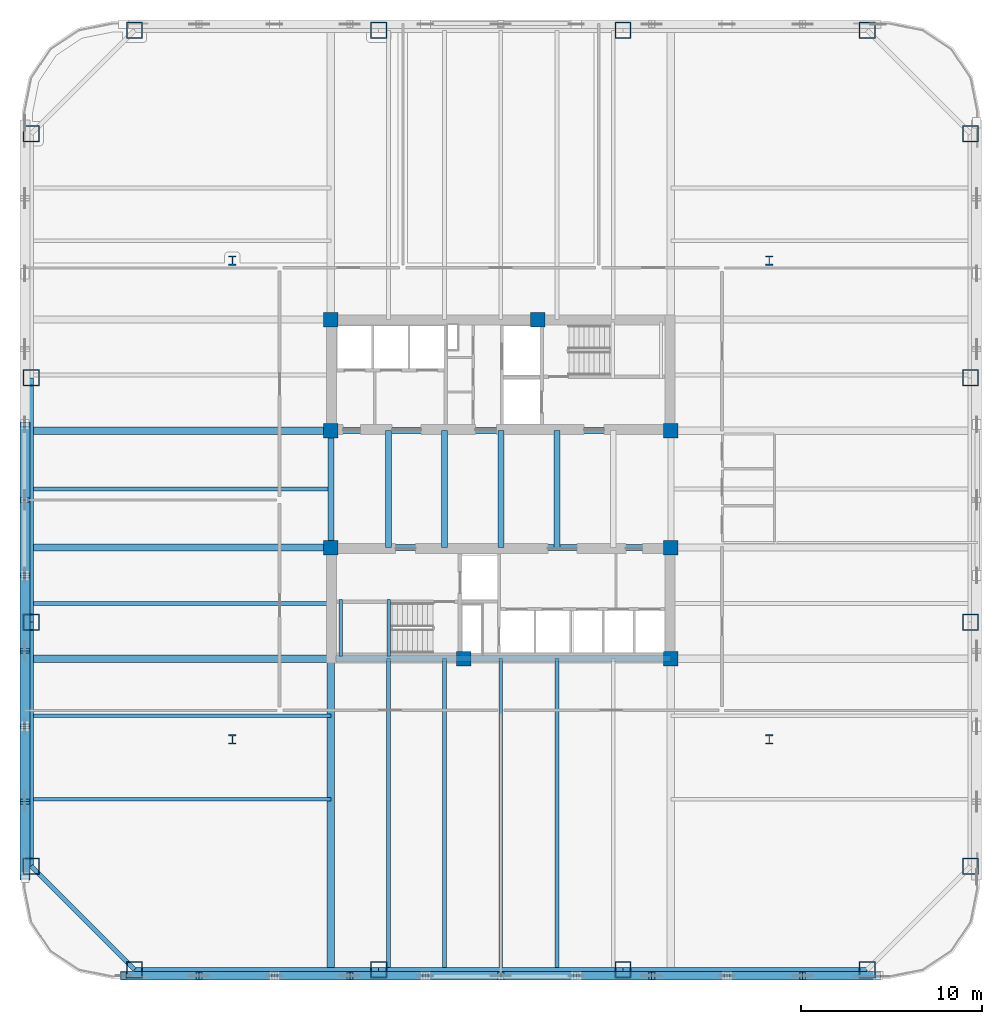
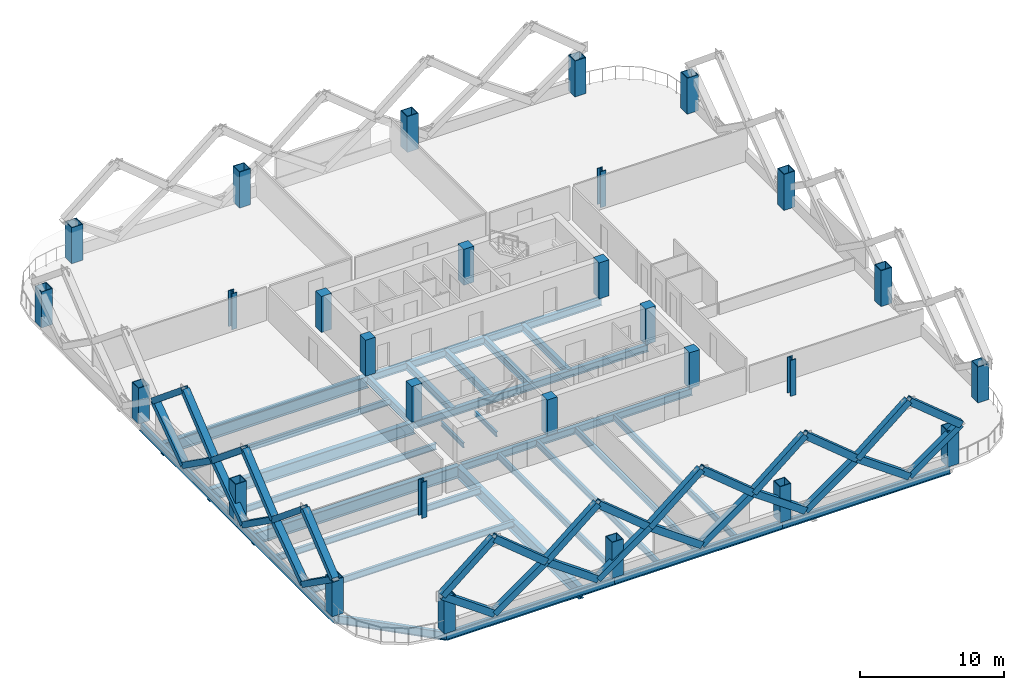
# One storey, part 1 of 12: 32 members, 28 beams, 28 columns.
"""IFC4 building model written with IfcOpenShell, lengths in metres."""

from ifc_helpers import new_model, si_unit, direction, frame, origin, origin_2d, place, context, subcontext, project, spatial, rectangle, hollow_rectangle, i_section, extrude, material, material_profile, profile_set, type_object, element, save


model = new_model("IFC4")

# Units and contexts
model_context = context("Model", 3, precision=1e-05, world=origin(), true_north=direction((0.0, 1.0)))
body_context = subcontext(model_context, "Body", "Model", "MODEL_VIEW")
ifc_project = project(units=[si_unit("LENGTHUNIT", "METRE"), si_unit("AREAUNIT", "SQUARE_METRE"), si_unit("VOLUMEUNIT", "CUBIC_METRE"), si_unit("PLANEANGLEUNIT", "RADIAN"), si_unit("MASSUNIT", "GRAM", prefix="KILO")], contexts=[model_context])

# Site, building, storey
site_placement = place(None, origin())
site = spatial("IfcSite", under=ifc_project, at=site_placement, CompositionType="ELEMENT")
building_placement = place(site_placement, origin())
building = spatial("IfcBuilding", under=site, at=building_placement, Name="Qhalaya Broadcast Tower", CompositionType="ELEMENT")
storey_placement = place(building_placement, frame((0.0, 0.0, 50.5)))
storey = spatial("IfcBuildingStorey", under=building, at=storey_placement, Name="L14", CompositionType="ELEMENT", Elevation=50.5)

# Columns
ifc_material_1 = material(Name="Concrete C50/60", Category="concrete")
ifc_material_profile_1 = material_profile(ifc_material_1, rectangle(XDim=0.800048828125, YDim=0.800048828125, at=origin_2d()), Name="RC-COL 800x800")
ifc_profile_set_1 = profile_set([ifc_material_profile_1], Name="Concrete C50/60")
column_type_1 = type_object("IfcColumnType", Name="RC Upper Column C10", PredefinedType="COLUMN", material=ifc_profile_set_1)
for number, where, z_axis, x_axis, name in (
    (1, (-9.375, 9.949951171875, 0.0), (0.0, 0.0, 1.0), (1.0, 0.0, 0.0), "L14 Column COL-CC1"),
    (2, (2.050048828125, 9.949951171875, 0.0), (0.0, 0.0, 1.0), (1.0, 0.0, 0.0), "L14 Column COL-CC2"),
    (3, (-9.375, 3.824951171875, 0.0), (0.0, 0.0, 1.0), (1.0, 0.0, 0.0), "L14 Column COL-CC3"),
    (4, (9.375, 3.824951171875, 0.0), (0.0, 0.0, 1.0), (1.0, 0.0, 0.0), "L14 Column COL-CC4"),
    (5, (-9.375, -2.625, 0.0), (0.0, 0.0, 1.0), (1.0, 0.0, 0.0), "L14 Column COL-CC5"),
    (6, (9.375, -2.625, 0.0), (0.0, 0.0, 1.0), (1.0, 0.0, 0.0), "L14 Column COL-CC6"),
    (7, (-2.050048828125, -8.75, 0.0), (0.0, 0.0, 1.0), (1.0, 0.0, 0.0), "L14 Column COL-CC7"),
    (8, (9.375, -8.75, 0.0), (0.0, 0.0, 1.0), (1.0, 0.0, 0.0), "L14 Column COL-CC8"),
):
    element("IfcColumn", number, at=place(storey_placement, frame(where, z_axis=z_axis, x_axis=x_axis)), inside=storey, type_object=column_type_1, Name=name, PredefinedType="COLUMN", context=body_context, shape_type="SweptSolid", body=[
        extrude(rectangle(XDim=0.800048828125, YDim=0.800048828125, at=origin_2d()), origin(), (0.0, 0.0, 1.0), 3.050048828125),
    ])
ifc_material_2 = material(Name="Structural Steel ASTM A992 Grade 50", Category="steel")
ifc_material_profile_2 = material_profile(ifc_material_2, i_section(OverallWidth=0.41796875, OverallDepth=0.510009765625, WebThickness=0.0419921875, FlangeThickness=0.067626953125, at=origin_2d()), Name="W14X370")
ifc_profile_set_2 = profile_set([ifc_material_profile_2], Name="Structural Steel ASTM A992 Grade 50")
column_type_2 = type_object("IfcColumnType", Name="Rolled Gravity Column C06", PredefinedType="COLUMN", material=ifc_profile_set_2)
for number, where, z_axis, x_axis, name in (
    (9, (-14.800048828125, -13.199951171875, 0.0), (0.0, 0.0, 1.0), (1.0, 0.0, 0.0), "L14 Column COL-GR1"),
    (10, (14.800048828125, -13.199951171875, 0.0), (0.0, 0.0, 1.0), (1.0, 0.0, 0.0), "L14 Column COL-GR2"),
    (11, (-14.800048828125, 13.199951171875, 0.0), (0.0, 0.0, 1.0), (1.0, 0.0, 0.0), "L14 Column COL-GR3"),
    (12, (14.800048828125, 13.199951171875, 0.0), (0.0, 0.0, 1.0), (1.0, 0.0, 0.0), "L14 Column COL-GR4"),
):
    element("IfcColumn", number, at=place(storey_placement, frame(where, z_axis=z_axis, x_axis=x_axis)), inside=storey, type_object=column_type_2, Name=name, PredefinedType="COLUMN", context=body_context, shape_type="SweptSolid", body=[
        extrude(i_section(OverallWidth=0.41796875, OverallDepth=0.510009765625, WebThickness=0.0419921875, FlangeThickness=0.067626953125, at=origin_2d()), origin(), (0.0, 0.0, 1.0), 3.050048828125),
    ])
ifc_material_3 = material(Name="Structural Steel ASTM A572 Grade 50", Category="steel")
ifc_material_profile_3 = material_profile(ifc_material_3, hollow_rectangle(XDim=0.89990234375, YDim=0.89990234375, WallThickness=0.054931640625, at=origin_2d()), Name="BOX 900x900x55")
ifc_profile_set_3 = profile_set([ifc_material_profile_3], Name="Structural Steel ASTM A572 Grade 50")
column_type_3 = type_object("IfcColumnType", Name="Steel Box Column C02", PredefinedType="COLUMN", material=ifc_profile_set_3)
for number, where, z_axis, x_axis, name in (
    (13, (-20.199951171875, -25.89990234375, 0.0), (0.0, 0.0, 1.0), (1.0, 0.0, 0.0), "L14 Column COL-EX01"),
    (14, (-6.7333984375, -25.89990234375, 0.0), (0.0, 0.0, 1.0), (1.0, 0.0, 0.0), "L14 Column COL-EX02"),
    (15, (6.7333984375, -25.89990234375, 0.0), (0.0, 0.0, 1.0), (1.0, 0.0, 0.0), "L14 Column COL-EX03"),
    (16, (20.199951171875, -25.89990234375, 0.0), (0.0, 0.0, 1.0), (1.0, 0.0, 0.0), "L14 Column COL-EX04"),
    (17, (25.89990234375, -20.199951171875, 0.0), (0.0, 0.0, 1.0), (0.0, 1.0, 0.0), "L14 Column COL-EX05"),
    (18, (25.89990234375, -6.7333984375, 0.0), (0.0, 0.0, 1.0), (0.0, 1.0, 0.0), "L14 Column COL-EX06"),
    (19, (25.89990234375, 6.7333984375, 0.0), (0.0, 0.0, 1.0), (0.0, 1.0, 0.0), "L14 Column COL-EX07"),
    (20, (25.89990234375, 20.199951171875, 0.0), (0.0, 0.0, 1.0), (0.0, 1.0, 0.0), "L14 Column COL-EX08"),
    (21, (20.199951171875, 25.89990234375, 0.0), (0.0, 0.0, 1.0), (1.0, 0.0, 0.0), "L14 Column COL-EX09"),
    (22, (6.7333984375, 25.89990234375, 0.0), (0.0, 0.0, 1.0), (1.0, 0.0, 0.0), "L14 Column COL-EX10"),
    (23, (-6.7333984375, 25.89990234375, 0.0), (0.0, 0.0, 1.0), (1.0, 0.0, 0.0), "L14 Column COL-EX11"),
    (24, (-20.199951171875, 25.89990234375, 0.0), (0.0, 0.0, 1.0), (1.0, 0.0, 0.0), "L14 Column COL-EX12"),
    (25, (-25.89990234375, 20.199951171875, 0.0), (0.0, 0.0, 1.0), (0.0, 1.0, 0.0), "L14 Column COL-EX13"),
    (26, (-25.89990234375, 6.7333984375, 0.0), (0.0, 0.0, 1.0), (0.0, 1.0, 0.0), "L14 Column COL-EX14"),
    (27, (-25.89990234375, -6.7333984375, 0.0), (0.0, 0.0, 1.0), (0.0, 1.0, 0.0), "L14 Column COL-EX15"),
    (28, (-25.89990234375, -20.199951171875, 0.0), (0.0, 0.0, 1.0), (0.0, 1.0, 0.0), "L14 Column COL-EX16"),
):
    element("IfcColumn", number, at=place(storey_placement, frame(where, z_axis=z_axis, x_axis=x_axis)), inside=storey, type_object=column_type_3, Name=name, PredefinedType="COLUMN", context=body_context, shape_type="SweptSolid", body=[
        extrude(hollow_rectangle(XDim=0.89990234375, YDim=0.89990234375, WallThickness=0.054931640625, at=origin_2d()), origin(), (0.0, 0.0, 1.0), 3.050048828125),
    ])

# Beams
ifc_material_profile_4 = material_profile(ifc_material_2, i_section(OverallWidth=0.2099609375, OverallDepth=0.535888671875, WebThickness=0.010986328125, FlangeThickness=0.017333984375, at=origin_2d()), Name="W21X68")
ifc_profile_set_4 = profile_set([ifc_material_profile_4], Name="Structural Steel ASTM A992 Grade 50")
beam_type_1 = type_object("IfcBeamType", Name="Composite Floor Joist J02", PredefinedType="JOIST", material=ifc_profile_set_4)
for number, where, z_axis, x_axis, name in (
    (29, (-6.199951171875, -25.8798828125, -0.488037109375), (0.0, 1.0, 0.0), (-1.0, 0.0, 0.0), "L14 J02 L14-JNS1-1"),
    (30, (-3.10009765625, -25.8798828125, -0.488037109375), (0.0, 1.0, 0.0), (-1.0, 0.0, 0.0), "L14 J02 L14-JNS2-1"),
    (31, (0.0, -25.8798828125, -0.488037109375), (0.0, 1.0, 0.0), (-1.0, 0.0, 0.0), "L14 J02 L14-JNS3-1"),
    (32, (3.10009765625, -25.8798828125, -0.488037109375), (0.0, 1.0, 0.0), (-1.0, 0.0, 0.0), "L14 J02 L14-JNS4-1"),
):
    element("IfcBeam", number, at=place(storey_placement, frame(where, z_axis=z_axis, x_axis=x_axis)), inside=storey, type_object=beam_type_1, Name=name, PredefinedType="JOIST", context=body_context, shape_type="SweptSolid", body=[
        extrude(i_section(OverallWidth=0.2099609375, OverallDepth=0.535888671875, WebThickness=0.010986328125, FlangeThickness=0.017333984375, at=origin_2d()), origin(), (0.0, 0.0, 1.0), 17.1298828125),
    ])
for number, where, z_axis, x_axis, name in (
    (33, (-25.8798828125, -16.5, -0.488037109375), (1.0, 0.0, 0.0), (0.0, 1.0, 0.0), "L14 J02 L14-JWE1W-1"),
    (34, (-25.8798828125, -11.89990234375, -0.488037109375), (1.0, 0.0, 0.0), (0.0, 1.0, 0.0), "L14 J02 L14-JWE2W-1"),
    (35, (-25.8798828125, -5.699951171875, -0.488037109375), (1.0, 0.0, 0.0), (0.0, 1.0, 0.0), "L14 J02 L14-JWE3W-1"),
    (36, (-25.8798828125, 0.60009765625, -0.488037109375), (1.0, 0.0, 0.0), (0.0, 1.0, 0.0), "L14 J02 L14-JWE4W-1"),
):
    element("IfcBeam", number, at=place(storey_placement, frame(where, z_axis=z_axis, x_axis=x_axis)), inside=storey, type_object=beam_type_1, Name=name, PredefinedType="JOIST", context=body_context, shape_type="SweptSolid", body=[
        extrude(i_section(OverallWidth=0.2099609375, OverallDepth=0.535888671875, WebThickness=0.010986328125, FlangeThickness=0.017333984375, at=origin_2d()), origin(), (0.0, 0.0, 1.0), 16.5048828125),
    ])
ifc_material_profile_5 = material_profile(ifc_material_2, i_section(OverallWidth=0.323974609375, OverallDepth=0.612060546875, WebThickness=0.0126953125, FlangeThickness=0.01904296875, at=origin_2d()), Name="W24X104")
ifc_profile_set_5 = profile_set([ifc_material_profile_5], Name="Structural Steel ASTM A992 Grade 50")
beam_type_2 = type_object("IfcBeamType", Name="Core Frame Tie Beam B04", PredefinedType="BEAM", material=ifc_profile_set_5)
for number, where, z_axis, x_axis, name in (
    (37, (-9.375, 3.824951171875, -0.52587890625), (1.0, 0.0, 0.0), (0.0, 1.0, 0.0), "L14 B04 L14-CCN1"),
    (38, (-9.375, -2.625, -0.52587890625), (1.0, 0.0, 0.0), (0.0, 1.0, 0.0), "L14 B04 L14-CCS1"),
):
    element("IfcBeam", number, at=place(storey_placement, frame(where, z_axis=z_axis, x_axis=x_axis)), inside=storey, type_object=beam_type_2, Name=name, PredefinedType="BEAM", context=body_context, shape_type="SweptSolid", body=[
        extrude(i_section(OverallWidth=0.323974609375, OverallDepth=0.612060546875, WebThickness=0.0126953125, FlangeThickness=0.01904296875, at=origin_2d()), origin(), (0.0, 0.0, 1.0), 18.75),
    ])
beam_1_placement = place(storey_placement, frame((-9.1201171875, -8.75, -0.52587890625), z_axis=(1.0, 0.0, 0.0), x_axis=(0.0, 1.0, 0.0)))
element("IfcBeam", 39, at=beam_1_placement, inside=storey, type_object=beam_type_2, Name="L14 B04 L14-CCS3", PredefinedType="BEAM", context=body_context, shape_type="SweptSolid", body=[
    extrude(i_section(OverallWidth=0.323974609375, OverallDepth=0.612060546875, WebThickness=0.0126953125, FlangeThickness=0.01904296875, at=origin_2d()), origin(), (0.0, 0.0, 1.0), 18.4951171875),
])
for number, where, z_axis, x_axis, name in (
    (40, (-9.375, -2.625, -0.52587890625), (0.0, 1.0, 0.0), (-1.0, 0.0, 0.0), "L14 B04 L14-CCW"),
    (41, (-6.199951171875, -2.625, -0.52587890625), (0.0, 1.0, 0.0), (-1.0, 0.0, 0.0), "L14 B04 L14-JC1-1"),
    (42, (-3.10009765625, -2.625, -0.52587890625), (0.0, 1.0, 0.0), (-1.0, 0.0, 0.0), "L14 B04 L14-JC2-1"),
    (43, (0.0, -2.625, -0.52587890625), (0.0, 1.0, 0.0), (-1.0, 0.0, 0.0), "L14 B04 L14-JC3-1"),
    (44, (3.10009765625, -2.625, -0.52587890625), (0.0, 1.0, 0.0), (-1.0, 0.0, 0.0), "L14 B04 L14-JC4-1"),
):
    element("IfcBeam", number, at=place(storey_placement, frame(where, z_axis=z_axis, x_axis=x_axis)), inside=storey, type_object=beam_type_2, Name=name, PredefinedType="BEAM", context=body_context, shape_type="SweptSolid", body=[
        extrude(i_section(OverallWidth=0.323974609375, OverallDepth=0.612060546875, WebThickness=0.0126953125, FlangeThickness=0.01904296875, at=origin_2d()), origin(), (0.0, 0.0, 1.0), 6.449951171875),
    ])

# Members
ifc_material_profile_6 = material_profile(ifc_material_3, hollow_rectangle(XDim=0.449951171875, YDim=0.550048828125, WallThickness=0.031982421875, at=origin_2d()), Name="BOX 450x550x32")
ifc_profile_set_6 = profile_set([ifc_material_profile_6], Name="Structural Steel ASTM A572 Grade 50")
member_type = type_object("IfcMemberType", Name="Exoskeleton Diamond Diagonal Lower EX1", PredefinedType="BRACE", material=ifc_profile_set_6)
member_1_placement = place(storey_placement, frame((-16.639892578125, -26.239990234375, 0.360107421875), z_axis=(-0.815730837628, 0.0, 0.578431673184), x_axis=(0.0, -1.0, 0.0)))
element("IfcMember", 45, at=member_1_placement, inside=storey, type_object=member_type, Name="B1 Exoskeleton Diamond Brace S1-D1", PredefinedType="BRACE", context=body_context, shape_type="SweptSolid", body=[
    extrude(hollow_rectangle(XDim=0.449951171875, YDim=0.550048828125, WallThickness=0.031982421875, at=origin_2d()), origin(), (0.0, 0.0, 1.0), 5.099853515625),
])
member_2_placement = place(storey_placement, frame((-16.639892578125, -26.239990234375, 0.360107421875), z_axis=(0.815714819681, 0.0, 0.578454261764), x_axis=(0.0, 1.0, 0.0)))
element("IfcMember", 46, at=member_2_placement, inside=storey, type_object=member_type, Name="B1 Exoskeleton Diamond Brace S1-D2", PredefinedType="BRACE", context=body_context, shape_type="SweptSolid", body=[
    extrude(hollow_rectangle(XDim=0.449951171875, YDim=0.550048828125, WallThickness=0.031982421875, at=origin_2d()), origin(), (0.0, 0.0, 1.0), 5.099609375),
])
member_3_placement = place(storey_placement, frame((-20.800048828125, -26.239990234375, 3.31005859375), z_axis=(0.771573287976, 0.0, 0.636140441477), x_axis=(0.0, 1.0, 0.0)))
element("IfcMember", 47, at=member_3_placement, inside=storey, type_object=member_type, Name="B1 Exoskeleton Diamond Brace S1-D3", PredefinedType="BRACE", context=body_context, shape_type="SweptSolid", body=[
    extrude(hollow_rectangle(XDim=0.449951171875, YDim=0.550048828125, WallThickness=0.031982421875, at=origin_2d()), origin(), (0.0, 0.0, 1.0), 5.391845703125),
])
member_4_placement = place(storey_placement, frame((-12.47998046875, -26.239990234375, 3.31005859375), z_axis=(-0.771554963297, 0.0, 0.636162666786), x_axis=(0.0, -1.0, 0.0)))
element("IfcMember", 48, at=member_4_placement, inside=storey, type_object=member_type, Name="B1 Exoskeleton Diamond Brace S1-D4", PredefinedType="BRACE", context=body_context, shape_type="SweptSolid", body=[
    extrude(hollow_rectangle(XDim=0.449951171875, YDim=0.550048828125, WallThickness=0.031982421875, at=origin_2d()), origin(), (0.0, 0.0, 1.0), 5.3916015625),
])
member_5_placement = place(storey_placement, frame((-8.320068359375, -26.239990234375, 0.360107421875), z_axis=(-0.815714819681, 0.0, 0.578454261764), x_axis=(0.0, -1.0, 0.0)))
element("IfcMember", 49, at=member_5_placement, inside=storey, type_object=member_type, Name="B1 Exoskeleton Diamond Brace S2-D1", PredefinedType="BRACE", context=body_context, shape_type="SweptSolid", body=[
    extrude(hollow_rectangle(XDim=0.449951171875, YDim=0.550048828125, WallThickness=0.031982421875, at=origin_2d()), origin(), (0.0, 0.0, 1.0), 5.099609375),
])
member_6_placement = place(storey_placement, frame((-8.320068359375, -26.239990234375, 0.360107421875), z_axis=(0.815730837628, 0.0, 0.578431673184), x_axis=(0.0, 1.0, 0.0)))
element("IfcMember", 50, at=member_6_placement, inside=storey, type_object=member_type, Name="B1 Exoskeleton Diamond Brace S2-D2", PredefinedType="BRACE", context=body_context, shape_type="SweptSolid", body=[
    extrude(hollow_rectangle(XDim=0.449951171875, YDim=0.550048828125, WallThickness=0.031982421875, at=origin_2d()), origin(), (0.0, 0.0, 1.0), 5.099853515625),
])
member_7_placement = place(storey_placement, frame((-12.47998046875, -26.239990234375, 3.31005859375), z_axis=(0.771554963297, 0.0, 0.636162666786), x_axis=(0.0, 1.0, 0.0)))
element("IfcMember", 51, at=member_7_placement, inside=storey, type_object=member_type, Name="B1 Exoskeleton Diamond Brace S2-D3", PredefinedType="BRACE", context=body_context, shape_type="SweptSolid", body=[
    extrude(hollow_rectangle(XDim=0.449951171875, YDim=0.550048828125, WallThickness=0.031982421875, at=origin_2d()), origin(), (0.0, 0.0, 1.0), 5.3916015625),
])
member_8_placement = place(storey_placement, frame((-4.159912109375, -26.239990234375, 3.31005859375), z_axis=(-0.771573287976, 0.0, 0.636140441477), x_axis=(0.0, -1.0, 0.0)))
element("IfcMember", 52, at=member_8_placement, inside=storey, type_object=member_type, Name="B1 Exoskeleton Diamond Brace S2-D4", PredefinedType="BRACE", context=body_context, shape_type="SweptSolid", body=[
    extrude(hollow_rectangle(XDim=0.449951171875, YDim=0.550048828125, WallThickness=0.031982421875, at=origin_2d()), origin(), (0.0, 0.0, 1.0), 5.391845703125),
])
for number, where, z_axis, x_axis, name in (
    (53, (0.0, -26.239990234375, 0.360107421875), (-0.815714819681, 0.0, 0.578454261764), (0.0, -1.0, 0.0), "B1 Exoskeleton Diamond Brace S3-D1"),
    (54, (0.0, -26.239990234375, 0.360107421875), (0.815714819681, 0.0, 0.578454261764), (0.0, 1.0, 0.0), "B1 Exoskeleton Diamond Brace S3-D2"),
):
    element("IfcMember", number, at=place(storey_placement, frame(where, z_axis=z_axis, x_axis=x_axis)), inside=storey, type_object=member_type, Name=name, PredefinedType="BRACE", context=body_context, shape_type="SweptSolid", body=[
        extrude(hollow_rectangle(XDim=0.449951171875, YDim=0.550048828125, WallThickness=0.031982421875, at=origin_2d()), origin(), (0.0, 0.0, 1.0), 5.099609375),
    ])
for number, where, z_axis, x_axis, name in (
    (55, (-4.159912109375, -26.239990234375, 3.31005859375), (0.771554963297, 0.0, 0.636162666786), (0.0, 1.0, 0.0), "B1 Exoskeleton Diamond Brace S3-D3"),
    (56, (4.159912109375, -26.239990234375, 3.31005859375), (-0.771554963297, 0.0, 0.636162666786), (0.0, -1.0, 0.0), "B1 Exoskeleton Diamond Brace S3-D4"),
):
    element("IfcMember", number, at=place(storey_placement, frame(where, z_axis=z_axis, x_axis=x_axis)), inside=storey, type_object=member_type, Name=name, PredefinedType="BRACE", context=body_context, shape_type="SweptSolid", body=[
        extrude(hollow_rectangle(XDim=0.449951171875, YDim=0.550048828125, WallThickness=0.031982421875, at=origin_2d()), origin(), (0.0, 0.0, 1.0), 5.3916015625),
    ])
member_9_placement = place(storey_placement, frame((8.320068359375, -26.239990234375, 0.360107421875), z_axis=(-0.815730837628, 0.0, 0.578431673184), x_axis=(0.0, -1.0, 0.0)))
element("IfcMember", 57, at=member_9_placement, inside=storey, type_object=member_type, Name="B1 Exoskeleton Diamond Brace S4-D1", PredefinedType="BRACE", context=body_context, shape_type="SweptSolid", body=[
    extrude(hollow_rectangle(XDim=0.449951171875, YDim=0.550048828125, WallThickness=0.031982421875, at=origin_2d()), origin(), (0.0, 0.0, 1.0), 5.099853515625),
])
member_10_placement = place(storey_placement, frame((8.320068359375, -26.239990234375, 0.360107421875), z_axis=(0.815714819681, 0.0, 0.578454261764), x_axis=(0.0, 1.0, 0.0)))
element("IfcMember", 58, at=member_10_placement, inside=storey, type_object=member_type, Name="B1 Exoskeleton Diamond Brace S4-D2", PredefinedType="BRACE", context=body_context, shape_type="SweptSolid", body=[
    extrude(hollow_rectangle(XDim=0.449951171875, YDim=0.550048828125, WallThickness=0.031982421875, at=origin_2d()), origin(), (0.0, 0.0, 1.0), 5.099609375),
])
member_11_placement = place(storey_placement, frame((4.159912109375, -26.239990234375, 3.31005859375), z_axis=(0.771573287976, 0.0, 0.636140441477), x_axis=(0.0, 1.0, 0.0)))
element("IfcMember", 59, at=member_11_placement, inside=storey, type_object=member_type, Name="B1 Exoskeleton Diamond Brace S4-D3", PredefinedType="BRACE", context=body_context, shape_type="SweptSolid", body=[
    extrude(hollow_rectangle(XDim=0.449951171875, YDim=0.550048828125, WallThickness=0.031982421875, at=origin_2d()), origin(), (0.0, 0.0, 1.0), 5.391845703125),
])
member_12_placement = place(storey_placement, frame((12.47998046875, -26.239990234375, 3.31005859375), z_axis=(-0.771554963297, 0.0, 0.636162666786), x_axis=(0.0, -1.0, 0.0)))
element("IfcMember", 60, at=member_12_placement, inside=storey, type_object=member_type, Name="B1 Exoskeleton Diamond Brace S4-D4", PredefinedType="BRACE", context=body_context, shape_type="SweptSolid", body=[
    extrude(hollow_rectangle(XDim=0.449951171875, YDim=0.550048828125, WallThickness=0.031982421875, at=origin_2d()), origin(), (0.0, 0.0, 1.0), 5.3916015625),
])
member_13_placement = place(storey_placement, frame((16.639892578125, -26.239990234375, 0.360107421875), z_axis=(-0.815714819681, 0.0, 0.578454261764), x_axis=(0.0, -1.0, 0.0)))
element("IfcMember", 61, at=member_13_placement, inside=storey, type_object=member_type, Name="B1 Exoskeleton Diamond Brace S5-D1", PredefinedType="BRACE", context=body_context, shape_type="SweptSolid", body=[
    extrude(hollow_rectangle(XDim=0.449951171875, YDim=0.550048828125, WallThickness=0.031982421875, at=origin_2d()), origin(), (0.0, 0.0, 1.0), 5.099609375),
])
member_14_placement = place(storey_placement, frame((16.639892578125, -26.239990234375, 0.360107421875), z_axis=(0.815730837628, 0.0, 0.578431673184), x_axis=(0.0, 1.0, 0.0)))
element("IfcMember", 62, at=member_14_placement, inside=storey, type_object=member_type, Name="B1 Exoskeleton Diamond Brace S5-D2", PredefinedType="BRACE", context=body_context, shape_type="SweptSolid", body=[
    extrude(hollow_rectangle(XDim=0.449951171875, YDim=0.550048828125, WallThickness=0.031982421875, at=origin_2d()), origin(), (0.0, 0.0, 1.0), 5.099853515625),
])
member_15_placement = place(storey_placement, frame((12.47998046875, -26.239990234375, 3.31005859375), z_axis=(0.771554963297, 0.0, 0.636162666786), x_axis=(0.0, 1.0, 0.0)))
element("IfcMember", 63, at=member_15_placement, inside=storey, type_object=member_type, Name="B1 Exoskeleton Diamond Brace S5-D3", PredefinedType="BRACE", context=body_context, shape_type="SweptSolid", body=[
    extrude(hollow_rectangle(XDim=0.449951171875, YDim=0.550048828125, WallThickness=0.031982421875, at=origin_2d()), origin(), (0.0, 0.0, 1.0), 5.3916015625),
])
member_16_placement = place(storey_placement, frame((20.800048828125, -26.239990234375, 3.31005859375), z_axis=(-0.771573287976, 0.0, 0.636140441477), x_axis=(0.0, -1.0, 0.0)))
element("IfcMember", 64, at=member_16_placement, inside=storey, type_object=member_type, Name="B1 Exoskeleton Diamond Brace S5-D4", PredefinedType="BRACE", context=body_context, shape_type="SweptSolid", body=[
    extrude(hollow_rectangle(XDim=0.449951171875, YDim=0.550048828125, WallThickness=0.031982421875, at=origin_2d()), origin(), (0.0, 0.0, 1.0), 5.391845703125),
])
for number, where, z_axis, x_axis, name in (
    (65, (-26.239990234375, 0.0, 0.360107421875), (0.0, 0.815714819681, 0.578454261764), (0.0, -0.578454261764, 0.815714819681), "B1 Exoskeleton Diamond Brace W3-D1"),
    (66, (-26.239990234375, 0.0, 0.360107421875), (0.0, -0.815714819681, 0.578454261764), (0.0, 0.578454261764, 0.815714819681), "B1 Exoskeleton Diamond Brace W3-D2"),
):
    element("IfcMember", number, at=place(storey_placement, frame(where, z_axis=z_axis, x_axis=x_axis)), inside=storey, type_object=member_type, Name=name, PredefinedType="BRACE", context=body_context, shape_type="SweptSolid", body=[
        extrude(hollow_rectangle(XDim=0.449951171875, YDim=0.550048828125, WallThickness=0.031982421875, at=origin_2d()), origin(), (0.0, 0.0, 1.0), 5.099609375),
    ])
for number, where, z_axis, x_axis, name in (
    (67, (-26.239990234375, 4.159912109375, 3.31005859375), (0.0, -0.771554963297, 0.636162666786), (0.0, 0.636162666786, 0.771554963297), "B1 Exoskeleton Diamond Brace W3-D3"),
    (68, (-26.239990234375, -4.159912109375, 3.31005859375), (0.0, 0.771554963297, 0.636162666786), (0.0, -0.636162666786, 0.771554963297), "B1 Exoskeleton Diamond Brace W3-D4"),
):
    element("IfcMember", number, at=place(storey_placement, frame(where, z_axis=z_axis, x_axis=x_axis)), inside=storey, type_object=member_type, Name=name, PredefinedType="BRACE", context=body_context, shape_type="SweptSolid", body=[
        extrude(hollow_rectangle(XDim=0.449951171875, YDim=0.550048828125, WallThickness=0.031982421875, at=origin_2d()), origin(), (0.0, 0.0, 1.0), 5.3916015625),
    ])
member_17_placement = place(storey_placement, frame((-26.239990234375, -8.320068359375, 0.360107421875), z_axis=(0.0, 0.815730837628, 0.578431673184), x_axis=(0.0, -0.578431673184, 0.815730837628)))
element("IfcMember", 69, at=member_17_placement, inside=storey, type_object=member_type, Name="B1 Exoskeleton Diamond Brace W4-D1", PredefinedType="BRACE", context=body_context, shape_type="SweptSolid", body=[
    extrude(hollow_rectangle(XDim=0.449951171875, YDim=0.550048828125, WallThickness=0.031982421875, at=origin_2d()), origin(), (0.0, 0.0, 1.0), 5.099853515625),
])
member_18_placement = place(storey_placement, frame((-26.239990234375, -8.320068359375, 0.360107421875), z_axis=(0.0, -0.815714819681, 0.578454261764), x_axis=(0.0, 0.578454261764, 0.815714819681)))
element("IfcMember", 70, at=member_18_placement, inside=storey, type_object=member_type, Name="B1 Exoskeleton Diamond Brace W4-D2", PredefinedType="BRACE", context=body_context, shape_type="SweptSolid", body=[
    extrude(hollow_rectangle(XDim=0.449951171875, YDim=0.550048828125, WallThickness=0.031982421875, at=origin_2d()), origin(), (0.0, 0.0, 1.0), 5.099609375),
])
member_19_placement = place(storey_placement, frame((-26.239990234375, -4.159912109375, 3.31005859375), z_axis=(0.0, -0.771573287976, 0.636140441477), x_axis=(0.0, 0.636140441477, 0.771573287976)))
element("IfcMember", 71, at=member_19_placement, inside=storey, type_object=member_type, Name="B1 Exoskeleton Diamond Brace W4-D3", PredefinedType="BRACE", context=body_context, shape_type="SweptSolid", body=[
    extrude(hollow_rectangle(XDim=0.449951171875, YDim=0.550048828125, WallThickness=0.031982421875, at=origin_2d()), origin(), (0.0, 0.0, 1.0), 5.391845703125),
])
member_20_placement = place(storey_placement, frame((-26.239990234375, -12.47998046875, 3.31005859375), z_axis=(0.0, 0.771554963297, 0.636162666786), x_axis=(0.0, -0.636162666786, 0.771554963297)))
element("IfcMember", 72, at=member_20_placement, inside=storey, type_object=member_type, Name="B1 Exoskeleton Diamond Brace W4-D4", PredefinedType="BRACE", context=body_context, shape_type="SweptSolid", body=[
    extrude(hollow_rectangle(XDim=0.449951171875, YDim=0.550048828125, WallThickness=0.031982421875, at=origin_2d()), origin(), (0.0, 0.0, 1.0), 5.3916015625),
])
member_21_placement = place(storey_placement, frame((-26.239990234375, -16.639892578125, 0.360107421875), z_axis=(0.0, 0.815714819681, 0.578454261764), x_axis=(0.0, -0.578454261764, 0.815714819681)))
element("IfcMember", 73, at=member_21_placement, inside=storey, type_object=member_type, Name="B1 Exoskeleton Diamond Brace W5-D1", PredefinedType="BRACE", context=body_context, shape_type="SweptSolid", body=[
    extrude(hollow_rectangle(XDim=0.449951171875, YDim=0.550048828125, WallThickness=0.031982421875, at=origin_2d()), origin(), (0.0, 0.0, 1.0), 5.099609375),
])
member_22_placement = place(storey_placement, frame((-26.239990234375, -16.639892578125, 0.360107421875), z_axis=(0.0, -0.815730837628, 0.578431673184), x_axis=(0.0, 0.578431673184, 0.815730837628)))
element("IfcMember", 74, at=member_22_placement, inside=storey, type_object=member_type, Name="B1 Exoskeleton Diamond Brace W5-D2", PredefinedType="BRACE", context=body_context, shape_type="SweptSolid", body=[
    extrude(hollow_rectangle(XDim=0.449951171875, YDim=0.550048828125, WallThickness=0.031982421875, at=origin_2d()), origin(), (0.0, 0.0, 1.0), 5.099853515625),
])
member_23_placement = place(storey_placement, frame((-26.239990234375, -12.47998046875, 3.31005859375), z_axis=(0.0, -0.771554963297, 0.636162666786), x_axis=(0.0, 0.636162666786, 0.771554963297)))
element("IfcMember", 75, at=member_23_placement, inside=storey, type_object=member_type, Name="B1 Exoskeleton Diamond Brace W5-D3", PredefinedType="BRACE", context=body_context, shape_type="SweptSolid", body=[
    extrude(hollow_rectangle(XDim=0.449951171875, YDim=0.550048828125, WallThickness=0.031982421875, at=origin_2d()), origin(), (0.0, 0.0, 1.0), 5.3916015625),
])
member_24_placement = place(storey_placement, frame((-26.239990234375, -20.800048828125, 3.31005859375), z_axis=(0.0, 0.771573287976, 0.636140441477), x_axis=(0.0, -0.636140441477, 0.771573287976)))
element("IfcMember", 76, at=member_24_placement, inside=storey, type_object=member_type, Name="B1 Exoskeleton Diamond Brace W5-D4", PredefinedType="BRACE", context=body_context, shape_type="SweptSolid", body=[
    extrude(hollow_rectangle(XDim=0.449951171875, YDim=0.550048828125, WallThickness=0.031982421875, at=origin_2d()), origin(), (0.0, 0.0, 1.0), 5.391845703125),
])

# Beams
ifc_material_profile_7 = material_profile(ifc_material_2, i_section(OverallWidth=0.40087890625, OverallDepth=1.010986328125, WebThickness=0.023681640625, FlangeThickness=0.0419921875, at=origin_2d()), Name="W40X297")
ifc_profile_set_7 = profile_set([ifc_material_profile_7], Name="Structural Steel ASTM A992 Grade 50")
beam_type_3 = type_object("IfcBeamType", Name="Lower Block Primary Girder PG2", PredefinedType="USERDEFINED", material=ifc_profile_set_7)
beam_2_placement = place(storey_placement, frame((-9.375, -25.8798828125, -0.7255859375), z_axis=(0.0, 1.0, 0.0), x_axis=(-1.0, 0.0, 0.0)))
element("IfcBeam", 77, at=beam_2_placement, inside=storey, type_object=beam_type_3, Name="L14 PG2 L14-PGXS1-1", ObjectType="GIRDER", PredefinedType="USERDEFINED", context=body_context, shape_type="SweptSolid", body=[
    extrude(i_section(OverallWidth=0.40087890625, OverallDepth=1.010986328125, WebThickness=0.023681640625, FlangeThickness=0.0419921875, at=origin_2d()), origin(), (0.0, 0.0, 1.0), 17.1298828125),
])
for number, where, z_axis, x_axis, name in (
    (78, (-25.8798828125, -8.75, -0.7255859375), (1.0, 0.0, 0.0), (0.0, 1.0, 0.0), "L14 PG2 L14-PGYW1-1"),
    (79, (-25.8798828125, -2.625, -0.7255859375), (1.0, 0.0, 0.0), (0.0, 1.0, 0.0), "L14 PG2 L14-PGYW2-1"),
    (80, (-25.8798828125, 3.824951171875, -0.7255859375), (1.0, 0.0, 0.0), (0.0, 1.0, 0.0), "L14 PG2 L14-PGYW3-1"),
):
    element("IfcBeam", number, at=place(storey_placement, frame(where, z_axis=z_axis, x_axis=x_axis)), inside=storey, type_object=beam_type_3, Name=name, ObjectType="GIRDER", PredefinedType="USERDEFINED", context=body_context, shape_type="SweptSolid", body=[
        extrude(i_section(OverallWidth=0.40087890625, OverallDepth=1.010986328125, WebThickness=0.023681640625, FlangeThickness=0.0419921875, at=origin_2d()), origin(), (0.0, 0.0, 1.0), 16.5048828125),
    ])
ifc_material_profile_8 = material_profile(ifc_material_2, i_section(OverallWidth=0.25390625, OverallDepth=0.68310546875, WebThickness=0.012451171875, FlangeThickness=0.01904296875, at=origin_2d()), Name="W27X94")
ifc_profile_set_8 = profile_set([ifc_material_profile_8], Name="Structural Steel ASTM A992 Grade 50")
beam_type_4 = type_object("IfcBeamType", Name="Perimeter Ring Spandrel Beam SP1", PredefinedType="SPANDREL", material=ifc_profile_set_8)
beam_3_placement = place(storey_placement, frame((-20.199951171875, -25.89990234375, -0.5615234375), z_axis=(1.0, 0.0, 0.0), x_axis=(0.0, 1.0, 0.0)))
element("IfcBeam", 81, at=beam_3_placement, inside=storey, type_object=beam_type_4, Name="L14 SP1 L14-SPR-01", PredefinedType="SPANDREL", context=body_context, shape_type="SweptSolid", body=[
    extrude(i_section(OverallWidth=0.25390625, OverallDepth=0.68310546875, WebThickness=0.012451171875, FlangeThickness=0.01904296875, at=origin_2d()), origin(), (0.0, 0.0, 1.0), 13.466552734375),
])
beam_4_placement = place(storey_placement, frame((-6.7333984375, -25.89990234375, -0.5615234375), z_axis=(1.0, 0.0, 0.0), x_axis=(0.0, 1.0, 0.0)))
element("IfcBeam", 82, at=beam_4_placement, inside=storey, type_object=beam_type_4, Name="L14 SP1 L14-SPR-02", PredefinedType="SPANDREL", context=body_context, shape_type="SweptSolid", body=[
    extrude(i_section(OverallWidth=0.25390625, OverallDepth=0.68310546875, WebThickness=0.012451171875, FlangeThickness=0.01904296875, at=origin_2d()), origin(), (0.0, 0.0, 1.0), 13.466796875),
])
beam_5_placement = place(storey_placement, frame((6.7333984375, -25.89990234375, -0.5615234375), z_axis=(1.0, 0.0, 0.0), x_axis=(0.0, 1.0, 0.0)))
element("IfcBeam", 83, at=beam_5_placement, inside=storey, type_object=beam_type_4, Name="L14 SP1 L14-SPR-03", PredefinedType="SPANDREL", context=body_context, shape_type="SweptSolid", body=[
    extrude(i_section(OverallWidth=0.25390625, OverallDepth=0.68310546875, WebThickness=0.012451171875, FlangeThickness=0.01904296875, at=origin_2d()), origin(), (0.0, 0.0, 1.0), 13.466552734375),
])
beam_6_placement = place(storey_placement, frame((-25.89990234375, 6.7333984375, -0.5615234375), z_axis=(0.0, -1.0, 0.0), x_axis=(1.0, 0.0, 0.0)))
element("IfcBeam", 84, at=beam_6_placement, inside=storey, type_object=beam_type_4, Name="L14 SP1 L14-SPR-14", PredefinedType="SPANDREL", context=body_context, shape_type="SweptSolid", body=[
    extrude(i_section(OverallWidth=0.25390625, OverallDepth=0.68310546875, WebThickness=0.012451171875, FlangeThickness=0.01904296875, at=origin_2d()), origin(), (0.0, 0.0, 1.0), 13.466796875),
])
beam_7_placement = place(storey_placement, frame((-25.89990234375, -6.7333984375, -0.5615234375), z_axis=(0.0, -1.0, 0.0), x_axis=(1.0, 0.0, 0.0)))
element("IfcBeam", 85, at=beam_7_placement, inside=storey, type_object=beam_type_4, Name="L14 SP1 L14-SPR-15", PredefinedType="SPANDREL", context=body_context, shape_type="SweptSolid", body=[
    extrude(i_section(OverallWidth=0.25390625, OverallDepth=0.68310546875, WebThickness=0.012451171875, FlangeThickness=0.01904296875, at=origin_2d()), origin(), (0.0, 0.0, 1.0), 13.466552734375),
])
beam_8_placement = place(storey_placement, frame((-25.89990234375, -20.199951171875, -0.5615234375), z_axis=(0.707106781187, -0.707106781187, 0.0), x_axis=(0.707106781187, 0.707106781187, 0.0)))
element("IfcBeam", 86, at=beam_8_placement, inside=storey, type_object=beam_type_4, Name="L14 SP1 L14-SPR-16", PredefinedType="SPANDREL", context=body_context, shape_type="SweptSolid", body=[
    extrude(i_section(OverallWidth=0.25390625, OverallDepth=0.68310546875, WebThickness=0.012451171875, FlangeThickness=0.01904296875, at=origin_2d()), origin(), (0.0, 0.0, 1.0), 8.06103515625),
])
ifc_material_profile_9 = material_profile(ifc_material_2, i_section(OverallWidth=0.177978515625, OverallDepth=0.406005859375, WebThickness=0.0078125, FlangeThickness=0.0126953125, at=origin_2d()), Name="W16X40")
ifc_profile_set_9 = profile_set([ifc_material_profile_9], Name="Structural Steel ASTM A992 Grade 50")
beam_type_5 = type_object("IfcBeamType", Name="Upper Perimeter Spandrel Beam SP2", PredefinedType="SPANDREL", material=ifc_profile_set_9)
for number, where, z_axis, x_axis, name in (
    (87, (-8.830078125, -8.6201171875, 1.1220703125), (0.0, 1.0, 0.0), (-1.0, 0.0, 0.0), "L14 ST-2 Half-Landing Bearer Beam 1"),
    (88, (-6.175048828125, -8.6201171875, 1.1220703125), (0.0, 1.0, 0.0), (-1.0, 0.0, 0.0), "L14 ST-2 Half-Landing Bearer Beam 2"),
):
    element("IfcBeam", number, at=place(storey_placement, frame(where, z_axis=z_axis, x_axis=x_axis)), inside=storey, type_object=beam_type_5, Name=name, PredefinedType="SPANDREL", context=body_context, shape_type="SweptSolid", body=[
        extrude(i_section(OverallWidth=0.177978515625, OverallDepth=0.406005859375, WebThickness=0.0078125, FlangeThickness=0.0126953125, at=origin_2d()), origin(), (0.0, 0.0, 1.0), 3.1201171875),
    ])

save(model, "model.ifc")
